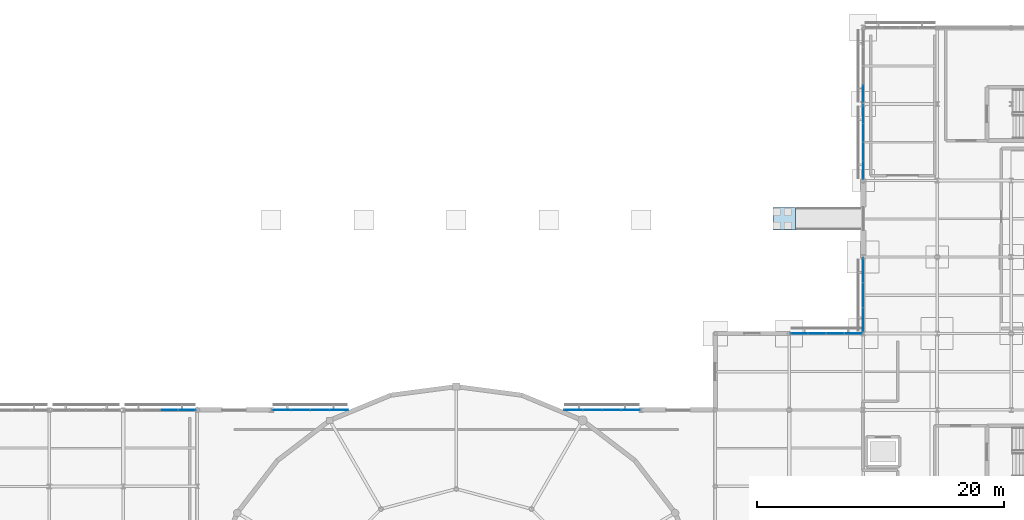
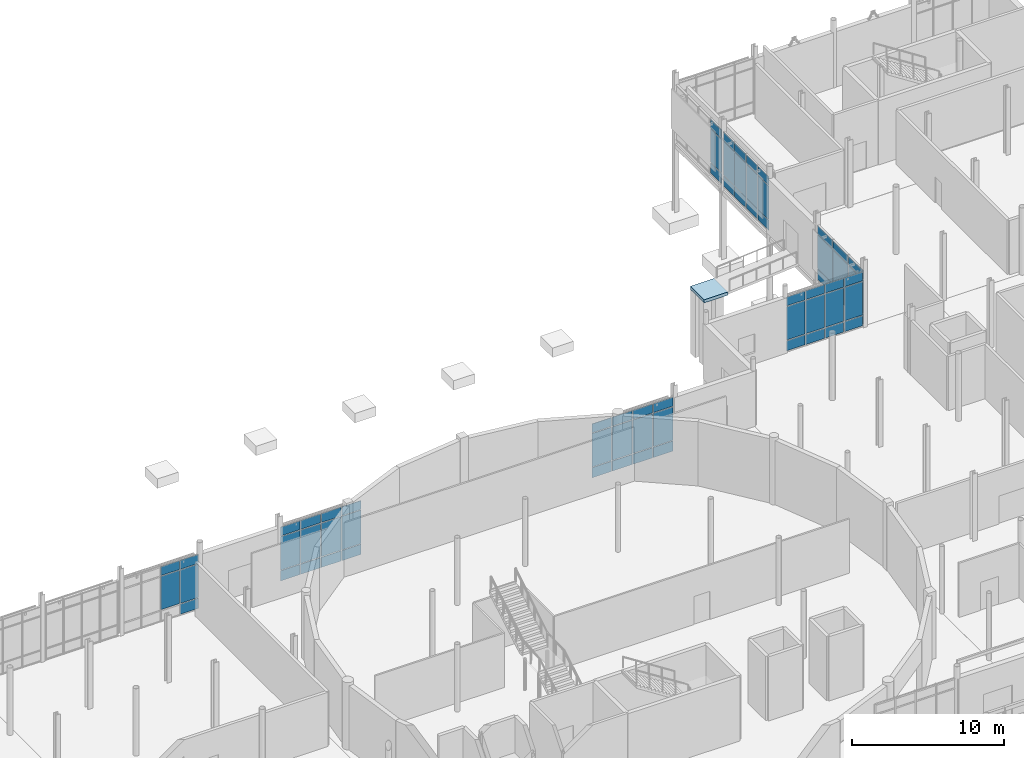
# One storey, part 63 of 98: 65 plates, 1 slab, 7 elements without a shape of their own.
"""IFC4 building model written with IfcOpenShell, lengths in metres."""

from ifc_helpers import new_model, si_unit, direction, frame, origin, origin_2d, place, context, subcontext, project, spatial, polyline, rectangle, outline, extrude, material, layer, layer_set, type_object, element, aggregate, save


model = new_model("IFC4")

# Units and contexts
model_context = context("Model", 3, precision=1e-05, world=origin(), true_north=direction((0.0, 1.0)))
body_context = subcontext(model_context, "Body", "Model", "MODEL_VIEW")
ifc_project = project(units=[si_unit("LENGTHUNIT", "METRE"), si_unit("AREAUNIT", "SQUARE_METRE"), si_unit("VOLUMEUNIT", "CUBIC_METRE"), si_unit("PLANEANGLEUNIT", "RADIAN"), si_unit("MASSUNIT", "GRAM", prefix="KILO")], contexts=[model_context])

# Site, building, storey
site_placement = place(None, origin())
site = spatial("IfcSite", under=ifc_project, at=site_placement, CompositionType="ELEMENT")
building_placement = place(site_placement, origin())
building = spatial("IfcBuilding", under=site, at=building_placement, Name="Mirzam Square Science Centre", CompositionType="ELEMENT")
storey_placement = place(building_placement, origin())
storey = spatial("IfcBuildingStorey", under=building, at=storey_placement, Name="L00", CompositionType="ELEMENT", Elevation=0.0)

# Curtain wall, plates
ifc_material_1 = material(Name="Anodised Aluminium and Low-E Solar Glass", Category="aluminium")
ifc_layer_1 = layer(ifc_material_1, 0.159912109375)
ifc_layer_set_1 = layer_set([ifc_layer_1], Name="CW-COURT-B")
curtain_wall_type_1 = type_object("IfcCurtainWallType", Name="CW-COURT-B", PredefinedType="USERDEFINED", material=ifc_layer_set_1)
curtain_wall_1_placement = place(storey_placement, origin())
curtain_wall_1 = element("IfcCurtainWall", 1, at=curtain_wall_1_placement, inside=storey, type_object=curtain_wall_type_1, Name="L00 unitised curtain wall 71", ObjectType="UNITISED CURTAIN WALL", PredefinedType="USERDEFINED")
ifc_material_2 = material(Name="Ceramic-Fritted Courtyard Solar Glass", Category="glass")
ifc_layer_2 = layer(ifc_material_2, 0.02392578125)
ifc_layer_set_2 = layer_set([ifc_layer_2], Name="CWP-GLZ-24")
plate_type_1 = type_object("IfcPlateType", Name="CWP-GLZ-24", PredefinedType="CURTAIN_PANEL", material=ifc_layer_set_2)
plate_1_placement = place(storey_placement, frame((113.19384765625, 86.800048828125, 0.06005859375), z_axis=(0.0, 0.0, 1.0), x_axis=(-1.0, 0.0, 0.0)))
plate_1 = element("IfcPlate", 2, at=plate_1_placement, type_object=plate_type_1, Name="CW-04 panel 1.1", PredefinedType="CURTAIN_PANEL", context=body_context, shape_type="SweptSolid", body=[
    extrude(rectangle(XDim=1.382568359375, YDim=0.02392578125, at=origin_2d()), origin(), (0.0, 0.0, 1.0), 0.81005859375),
])
plate_2_placement = place(storey_placement, frame((113.19384765625, 86.800048828125, 0.93017578125), z_axis=(0.0, 0.0, 1.0), x_axis=(-1.0, 0.0, 0.0)))
plate_2 = element("IfcPlate", 3, at=plate_2_placement, type_object=plate_type_1, Name="CW-04 panel 1.2", PredefinedType="CURTAIN_PANEL", context=body_context, shape_type="SweptSolid", body=[
    extrude(rectangle(XDim=1.382568359375, YDim=0.02392578125, at=origin_2d()), origin(), (0.0, 0.0, 1.0), 2.679931640625),
])
plate_3_placement = place(storey_placement, frame((113.19384765625, 86.800048828125, 3.669921875), z_axis=(0.0, 0.0, 1.0), x_axis=(-1.0, 0.0, 0.0)))
plate_3 = element("IfcPlate", 4, at=plate_3_placement, type_object=plate_type_1, Name="CW-04 panel 1.3", PredefinedType="CURTAIN_PANEL", context=body_context, shape_type="SweptSolid", body=[
    extrude(rectangle(XDim=1.382568359375, YDim=0.02392578125, at=origin_2d()), origin(), (0.0, 0.0, 1.0), 0.7099609375),
])
plate_4_placement = place(storey_placement, frame((111.736328125, 86.800048828125, 0.06005859375), z_axis=(0.0, 0.0, 1.0), x_axis=(-1.0, 0.0, 0.0)))
plate_4 = element("IfcPlate", 5, at=plate_4_placement, type_object=plate_type_1, Name="CW-04 panel 2.1", PredefinedType="CURTAIN_PANEL", context=body_context, shape_type="SweptSolid", body=[
    extrude(rectangle(XDim=1.41259765625, YDim=0.02392578125, at=origin_2d()), origin(), (0.0, 0.0, 1.0), 0.81005859375),
])
plate_5_placement = place(storey_placement, frame((111.736328125, 86.800048828125, 0.93017578125), z_axis=(0.0, 0.0, 1.0), x_axis=(-1.0, 0.0, 0.0)))
plate_5 = element("IfcPlate", 6, at=plate_5_placement, type_object=plate_type_1, Name="CW-04 panel 2.2", PredefinedType="CURTAIN_PANEL", context=body_context, shape_type="SweptSolid", body=[
    extrude(rectangle(XDim=1.41259765625, YDim=0.02392578125, at=origin_2d()), origin(), (0.0, 0.0, 1.0), 2.679931640625),
])
plate_6_placement = place(storey_placement, frame((111.736328125, 86.800048828125, 3.669921875), z_axis=(0.0, 0.0, 1.0), x_axis=(-1.0, 0.0, 0.0)))
plate_6 = element("IfcPlate", 7, at=plate_6_placement, type_object=plate_type_1, Name="CW-04 panel 2.3", PredefinedType="CURTAIN_PANEL", context=body_context, shape_type="SweptSolid", body=[
    extrude(rectangle(XDim=1.41259765625, YDim=0.02392578125, at=origin_2d()), origin(), (0.0, 0.0, 1.0), 0.7099609375),
])
plate_7_placement = place(storey_placement, frame((110.263671875, 86.800048828125, 0.06005859375), z_axis=(0.0, 0.0, 1.0), x_axis=(-1.0, 0.0, 0.0)))
plate_7 = element("IfcPlate", 8, at=plate_7_placement, type_object=plate_type_1, Name="CW-04 panel 3.1", PredefinedType="CURTAIN_PANEL", context=body_context, shape_type="SweptSolid", body=[
    extrude(rectangle(XDim=1.41259765625, YDim=0.02392578125, at=origin_2d()), origin(), (0.0, 0.0, 1.0), 0.81005859375),
])
plate_8_placement = place(storey_placement, frame((110.263671875, 86.800048828125, 0.93017578125), z_axis=(0.0, 0.0, 1.0), x_axis=(-1.0, 0.0, 0.0)))
plate_8 = element("IfcPlate", 9, at=plate_8_placement, type_object=plate_type_1, Name="CW-04 panel 3.2", PredefinedType="CURTAIN_PANEL", context=body_context, shape_type="SweptSolid", body=[
    extrude(rectangle(XDim=1.41259765625, YDim=0.02392578125, at=origin_2d()), origin(), (0.0, 0.0, 1.0), 2.679931640625),
])
plate_9_placement = place(storey_placement, frame((110.263671875, 86.800048828125, 3.669921875), z_axis=(0.0, 0.0, 1.0), x_axis=(-1.0, 0.0, 0.0)))
plate_9 = element("IfcPlate", 10, at=plate_9_placement, type_object=plate_type_1, Name="CW-04 panel 3.3", PredefinedType="CURTAIN_PANEL", context=body_context, shape_type="SweptSolid", body=[
    extrude(rectangle(XDim=1.41259765625, YDim=0.02392578125, at=origin_2d()), origin(), (0.0, 0.0, 1.0), 0.7099609375),
])
plate_10_placement = place(storey_placement, frame((108.80615234375, 86.800048828125, 0.06005859375), z_axis=(0.0, 0.0, 1.0), x_axis=(-1.0, 0.0, 0.0)))
plate_10 = element("IfcPlate", 11, at=plate_10_placement, type_object=plate_type_1, Name="CW-04 panel 4.1", PredefinedType="CURTAIN_PANEL", context=body_context, shape_type="SweptSolid", body=[
    extrude(rectangle(XDim=1.382568359375, YDim=0.02392578125, at=origin_2d()), origin(), (0.0, 0.0, 1.0), 0.81005859375),
])
plate_11_placement = place(storey_placement, frame((108.80615234375, 86.800048828125, 0.93017578125), z_axis=(0.0, 0.0, 1.0), x_axis=(-1.0, 0.0, 0.0)))
plate_11 = element("IfcPlate", 12, at=plate_11_placement, type_object=plate_type_1, Name="CW-04 panel 4.2", PredefinedType="CURTAIN_PANEL", context=body_context, shape_type="SweptSolid", body=[
    extrude(rectangle(XDim=1.382568359375, YDim=0.02392578125, at=origin_2d()), origin(), (0.0, 0.0, 1.0), 2.679931640625),
])
plate_12_placement = place(storey_placement, frame((108.80615234375, 86.800048828125, 3.669921875), z_axis=(0.0, 0.0, 1.0), x_axis=(-1.0, 0.0, 0.0)))
plate_12 = element("IfcPlate", 13, at=plate_12_placement, type_object=plate_type_1, Name="CW-04 panel 4.3", PredefinedType="CURTAIN_PANEL", context=body_context, shape_type="SweptSolid", body=[
    extrude(rectangle(XDim=1.382568359375, YDim=0.02392578125, at=origin_2d()), origin(), (0.0, 0.0, 1.0), 0.7099609375),
])
aggregate(curtain_wall_1, [plate_1, plate_2, plate_3, plate_4, plate_5, plate_6, plate_7, plate_8, plate_9, plate_10, plate_11, plate_12])

curtain_wall_2_placement = place(storey_placement, origin())
curtain_wall_2 = element("IfcCurtainWall", 14, at=curtain_wall_2_placement, inside=storey, type_object=curtain_wall_type_1, Name="L00 unitised curtain wall 78", ObjectType="UNITISED CURTAIN WALL", PredefinedType="USERDEFINED")
plate_13_placement = place(storey_placement, frame((114.0, 104.56884765625, 0.06005859375), z_axis=(0.0, 0.0, 1.0), x_axis=(0.0, -1.0, 0.0)))
plate_13 = element("IfcPlate", 15, at=plate_13_placement, type_object=plate_type_1, Name="CW-04 panel 1.1", PredefinedType="CURTAIN_PANEL", context=body_context, shape_type="SweptSolid", body=[
    extrude(rectangle(XDim=1.4326171875, YDim=0.02392578125, at=origin_2d()), origin(), (0.0, 0.0, 1.0), 0.81005859375),
])
plate_14_placement = place(storey_placement, frame((114.0, 104.56884765625, 0.93017578125), z_axis=(0.0, 0.0, 1.0), x_axis=(0.0, -1.0, 0.0)))
plate_14 = element("IfcPlate", 16, at=plate_14_placement, type_object=plate_type_1, Name="CW-04 panel 1.2", PredefinedType="CURTAIN_PANEL", context=body_context, shape_type="SweptSolid", body=[
    extrude(rectangle(XDim=1.4326171875, YDim=0.02392578125, at=origin_2d()), origin(), (0.0, 0.0, 1.0), 2.679931640625),
])
plate_15_placement = place(storey_placement, frame((114.0, 104.56884765625, 3.669921875), z_axis=(0.0, 0.0, 1.0), x_axis=(0.0, -1.0, 0.0)))
plate_15 = element("IfcPlate", 17, at=plate_15_placement, type_object=plate_type_1, Name="CW-04 panel 1.3", PredefinedType="CURTAIN_PANEL", context=body_context, shape_type="SweptSolid", body=[
    extrude(rectangle(XDim=1.4326171875, YDim=0.02392578125, at=origin_2d()), origin(), (0.0, 0.0, 1.0), 0.7099609375),
])
plate_16_placement = place(storey_placement, frame((114.0, 103.061279296875, 0.06005859375), z_axis=(0.0, 0.0, 1.0), x_axis=(0.0, -1.0, 0.0)))
plate_16 = element("IfcPlate", 18, at=plate_16_placement, type_object=plate_type_1, Name="CW-04 panel 2.1", PredefinedType="CURTAIN_PANEL", context=body_context, shape_type="SweptSolid", body=[
    extrude(rectangle(XDim=1.46240234375, YDim=0.02392578125, at=origin_2d()), origin(), (0.0, 0.0, 1.0), 0.81005859375),
])
plate_17_placement = place(storey_placement, frame((114.0, 103.061279296875, 0.93017578125), z_axis=(0.0, 0.0, 1.0), x_axis=(0.0, -1.0, 0.0)))
plate_17 = element("IfcPlate", 19, at=plate_17_placement, type_object=plate_type_1, Name="CW-04 panel 2.2", PredefinedType="CURTAIN_PANEL", context=body_context, shape_type="SweptSolid", body=[
    extrude(rectangle(XDim=1.46240234375, YDim=0.02392578125, at=origin_2d()), origin(), (0.0, 0.0, 1.0), 2.679931640625),
])
plate_18_placement = place(storey_placement, frame((114.0, 103.061279296875, 3.669921875), z_axis=(0.0, 0.0, 1.0), x_axis=(0.0, -1.0, 0.0)))
plate_18 = element("IfcPlate", 20, at=plate_18_placement, type_object=plate_type_1, Name="CW-04 panel 2.3", PredefinedType="CURTAIN_PANEL", context=body_context, shape_type="SweptSolid", body=[
    extrude(rectangle(XDim=1.46240234375, YDim=0.02392578125, at=origin_2d()), origin(), (0.0, 0.0, 1.0), 0.7099609375),
])
plate_19_placement = place(storey_placement, frame((114.0, 101.538818359375, 0.06005859375), z_axis=(0.0, 0.0, 1.0), x_axis=(0.0, -1.0, 0.0)))
plate_19 = element("IfcPlate", 21, at=plate_19_placement, type_object=plate_type_1, Name="CW-04 panel 3.1", PredefinedType="CURTAIN_PANEL", context=body_context, shape_type="SweptSolid", body=[
    extrude(rectangle(XDim=1.46240234375, YDim=0.02392578125, at=origin_2d()), origin(), (0.0, 0.0, 1.0), 0.81005859375),
])
plate_20_placement = place(storey_placement, frame((114.0, 101.538818359375, 0.93017578125), z_axis=(0.0, 0.0, 1.0), x_axis=(0.0, -1.0, 0.0)))
plate_20 = element("IfcPlate", 22, at=plate_20_placement, type_object=plate_type_1, Name="CW-04 panel 3.2", PredefinedType="CURTAIN_PANEL", context=body_context, shape_type="SweptSolid", body=[
    extrude(rectangle(XDim=1.46240234375, YDim=0.02392578125, at=origin_2d()), origin(), (0.0, 0.0, 1.0), 2.679931640625),
])
plate_21_placement = place(storey_placement, frame((114.0, 101.538818359375, 3.669921875), z_axis=(0.0, 0.0, 1.0), x_axis=(0.0, -1.0, 0.0)))
plate_21 = element("IfcPlate", 23, at=plate_21_placement, type_object=plate_type_1, Name="CW-04 panel 3.3", PredefinedType="CURTAIN_PANEL", context=body_context, shape_type="SweptSolid", body=[
    extrude(rectangle(XDim=1.46240234375, YDim=0.02392578125, at=origin_2d()), origin(), (0.0, 0.0, 1.0), 0.7099609375),
])
plate_22_placement = place(storey_placement, frame((114.0, 100.03125, 0.06005859375), z_axis=(0.0, 0.0, 1.0), x_axis=(0.0, -1.0, 0.0)))
plate_22 = element("IfcPlate", 24, at=plate_22_placement, type_object=plate_type_1, Name="CW-04 panel 4.1", PredefinedType="CURTAIN_PANEL", context=body_context, shape_type="SweptSolid", body=[
    extrude(rectangle(XDim=1.4326171875, YDim=0.02392578125, at=origin_2d()), origin(), (0.0, 0.0, 1.0), 0.81005859375),
])
plate_23_placement = place(storey_placement, frame((114.0, 100.03125, 0.93017578125), z_axis=(0.0, 0.0, 1.0), x_axis=(0.0, -1.0, 0.0)))
plate_23 = element("IfcPlate", 25, at=plate_23_placement, type_object=plate_type_1, Name="CW-04 panel 4.2", PredefinedType="CURTAIN_PANEL", context=body_context, shape_type="SweptSolid", body=[
    extrude(rectangle(XDim=1.4326171875, YDim=0.02392578125, at=origin_2d()), origin(), (0.0, 0.0, 1.0), 2.679931640625),
])
plate_24_placement = place(storey_placement, frame((114.0, 100.03125, 3.669921875), z_axis=(0.0, 0.0, 1.0), x_axis=(0.0, -1.0, 0.0)))
plate_24 = element("IfcPlate", 26, at=plate_24_placement, type_object=plate_type_1, Name="CW-04 panel 4.3", PredefinedType="CURTAIN_PANEL", context=body_context, shape_type="SweptSolid", body=[
    extrude(rectangle(XDim=1.4326171875, YDim=0.02392578125, at=origin_2d()), origin(), (0.0, 0.0, 1.0), 0.7099609375),
])
aggregate(curtain_wall_2, [plate_13, plate_14, plate_15, plate_16, plate_17, plate_18, plate_19, plate_20, plate_21, plate_22, plate_23, plate_24])

ifc_layer_3 = layer(ifc_material_1, 0.199951171875)
ifc_layer_set_3 = layer_set([ifc_layer_3], Name="CW-PARK-B")
curtain_wall_type_2 = type_object("IfcCurtainWallType", Name="CW-PARK-B", PredefinedType="USERDEFINED", material=ifc_layer_set_3)
curtain_wall_3_placement = place(storey_placement, origin())
curtain_wall_3 = element("IfcCurtainWall", 27, at=curtain_wall_3_placement, inside=storey, type_object=curtain_wall_type_2, Name="L00 unitised curtain wall 75", ObjectType="UNITISED CURTAIN WALL", PredefinedType="USERDEFINED")
ifc_material_3 = material(Name="Triple-Glazed Acoustic Low-E Solar Glass", Category="glass")
ifc_layer_4 = layer(ifc_material_3, 0.031982421875)
ifc_layer_set_4 = layer_set([ifc_layer_4], Name="CWP-GLZ-32")
plate_type_2 = type_object("IfcPlateType", Name="CWP-GLZ-32", PredefinedType="CURTAIN_PANEL", material=ifc_layer_set_4)
plate_25_placement = place(storey_placement, frame((114.0, 91.913818359375, 0.06494140625), z_axis=(0.0, 0.0, 1.0), x_axis=(0.0, -1.0, 0.0)))
plate_25 = element("IfcPlate", 28, at=plate_25_placement, type_object=plate_type_2, Name="CW-02 panel 1.1", PredefinedType="CURTAIN_PANEL", context=body_context, shape_type="SweptSolid", body=[
    extrude(rectangle(XDim=1.9326171875, YDim=0.031982421875, at=origin_2d()), origin(), (0.0, 0.0, 1.0), 0.802490234375),
])
plate_26_placement = place(storey_placement, frame((114.0, 91.913818359375, 0.9326171875), z_axis=(0.0, 0.0, 1.0), x_axis=(0.0, -1.0, 0.0)))
plate_26 = element("IfcPlate", 29, at=plate_26_placement, type_object=plate_type_2, Name="CW-02 panel 1.2", PredefinedType="CURTAIN_PANEL", context=body_context, shape_type="SweptSolid", body=[
    extrude(rectangle(XDim=1.9326171875, YDim=0.031982421875, at=origin_2d()), origin(), (0.0, 0.0, 1.0), 2.675048828125),
])
plate_27_placement = place(storey_placement, frame((114.0, 91.913818359375, 3.67236328125), z_axis=(0.0, 0.0, 1.0), x_axis=(0.0, -1.0, 0.0)))
plate_27 = element("IfcPlate", 30, at=plate_27_placement, type_object=plate_type_2, Name="CW-02 panel 1.3", PredefinedType="CURTAIN_PANEL", context=body_context, shape_type="SweptSolid", body=[
    extrude(rectangle(XDim=1.9326171875, YDim=0.031982421875, at=origin_2d()), origin(), (0.0, 0.0, 1.0), 0.702392578125),
])
plate_28_placement = place(storey_placement, frame((114.0, 89.89990234375, 0.06494140625), z_axis=(0.0, 0.0, 1.0), x_axis=(0.0, -1.0, 0.0)))
plate_28 = element("IfcPlate", 31, at=plate_28_placement, type_object=plate_type_2, Name="CW-02 panel 2.1", PredefinedType="CURTAIN_PANEL", context=body_context, shape_type="SweptSolid", body=[
    extrude(rectangle(XDim=1.965087890625, YDim=0.031982421875, at=origin_2d()), origin(), (0.0, 0.0, 1.0), 0.802490234375),
])
plate_29_placement = place(storey_placement, frame((114.0, 89.89990234375, 0.9326171875), z_axis=(0.0, 0.0, 1.0), x_axis=(0.0, -1.0, 0.0)))
plate_29 = element("IfcPlate", 32, at=plate_29_placement, type_object=plate_type_2, Name="CW-02 panel 2.2", PredefinedType="CURTAIN_PANEL", context=body_context, shape_type="SweptSolid", body=[
    extrude(rectangle(XDim=1.965087890625, YDim=0.031982421875, at=origin_2d()), origin(), (0.0, 0.0, 1.0), 2.675048828125),
])
plate_30_placement = place(storey_placement, frame((114.0, 89.89990234375, 3.67236328125), z_axis=(0.0, 0.0, 1.0), x_axis=(0.0, -1.0, 0.0)))
plate_30 = element("IfcPlate", 33, at=plate_30_placement, type_object=plate_type_2, Name="CW-02 panel 2.3", PredefinedType="CURTAIN_PANEL", context=body_context, shape_type="SweptSolid", body=[
    extrude(rectangle(XDim=1.965087890625, YDim=0.031982421875, at=origin_2d()), origin(), (0.0, 0.0, 1.0), 0.702392578125),
])
plate_31_placement = place(storey_placement, frame((114.0, 87.88623046875, 0.06494140625), z_axis=(0.0, 0.0, 1.0), x_axis=(0.0, -1.0, 0.0)))
plate_31 = element("IfcPlate", 34, at=plate_31_placement, type_object=plate_type_2, Name="CW-02 panel 3.1", PredefinedType="CURTAIN_PANEL", context=body_context, shape_type="SweptSolid", body=[
    extrude(rectangle(XDim=1.9326171875, YDim=0.031982421875, at=origin_2d()), origin(), (0.0, 0.0, 1.0), 0.802490234375),
])
plate_32_placement = place(storey_placement, frame((114.0, 87.88623046875, 0.9326171875), z_axis=(0.0, 0.0, 1.0), x_axis=(0.0, -1.0, 0.0)))
plate_32 = element("IfcPlate", 35, at=plate_32_placement, type_object=plate_type_2, Name="CW-02 panel 3.2", PredefinedType="CURTAIN_PANEL", context=body_context, shape_type="SweptSolid", body=[
    extrude(rectangle(XDim=1.9326171875, YDim=0.031982421875, at=origin_2d()), origin(), (0.0, 0.0, 1.0), 2.675048828125),
])
plate_33_placement = place(storey_placement, frame((114.0, 87.88623046875, 3.67236328125), z_axis=(0.0, 0.0, 1.0), x_axis=(0.0, -1.0, 0.0)))
plate_33 = element("IfcPlate", 36, at=plate_33_placement, type_object=plate_type_2, Name="CW-02 panel 3.3", PredefinedType="CURTAIN_PANEL", context=body_context, shape_type="SweptSolid", body=[
    extrude(rectangle(XDim=1.9326171875, YDim=0.031982421875, at=origin_2d()), origin(), (0.0, 0.0, 1.0), 0.702392578125),
])
aggregate(curtain_wall_3, [plate_25, plate_26, plate_27, plate_28, plate_29, plate_30, plate_31, plate_32, plate_33])

ifc_layer_5 = layer(ifc_material_1, 0.199951171875)
ifc_layer_set_5 = layer_set([ifc_layer_5], Name="CW-EAST-A")
curtain_wall_type_3 = type_object("IfcCurtainWallType", Name="CW-EAST-A", PredefinedType="USERDEFINED", material=ifc_layer_set_5)
curtain_wall_4_placement = place(storey_placement, origin())
curtain_wall_4 = element("IfcCurtainWall", 37, at=curtain_wall_4_placement, inside=storey, type_object=curtain_wall_type_3, Name="L00 unitised curtain wall 6", ObjectType="UNITISED CURTAIN WALL", PredefinedType="USERDEFINED")
ifc_material_4 = material(Name="Laminated Low-Iron Observatory Solar Glass", Category="glass")
ifc_layer_6 = layer(ifc_material_4, 0.035888671875)
ifc_layer_set_6 = layer_set([ifc_layer_6], Name="CWP-GLZ-36")
plate_type_3 = type_object("IfcPlateType", Name="CWP-GLZ-36", PredefinedType="CURTAIN_PANEL", material=ifc_layer_set_6)
plate_34_placement = place(storey_placement, frame((59.19384765625, 80.60009765625, 0.06005859375), z_axis=(0.0, 0.0, 1.0), x_axis=(-1.0, 0.0, 0.0)))
plate_34 = element("IfcPlate", 38, at=plate_34_placement, type_object=plate_type_3, Name="CW-05 panel 1.1", PredefinedType="CURTAIN_PANEL", context=body_context, shape_type="SweptSolid", body=[
    extrude(rectangle(XDim=1.382568359375, YDim=0.035888671875, at=origin_2d()), origin(), (0.0, 0.0, 1.0), 0.81005859375),
])
plate_35_placement = place(storey_placement, frame((59.19384765625, 80.60009765625, 0.93017578125), z_axis=(0.0, 0.0, 1.0), x_axis=(-1.0, 0.0, 0.0)))
plate_35 = element("IfcPlate", 39, at=plate_35_placement, type_object=plate_type_3, Name="CW-05 panel 1.2", PredefinedType="CURTAIN_PANEL", context=body_context, shape_type="SweptSolid", body=[
    extrude(rectangle(XDim=1.382568359375, YDim=0.035888671875, at=origin_2d()), origin(), (0.0, 0.0, 1.0), 2.679931640625),
])
plate_36_placement = place(storey_placement, frame((59.19384765625, 80.60009765625, 3.669921875), z_axis=(0.0, 0.0, 1.0), x_axis=(-1.0, 0.0, 0.0)))
plate_36 = element("IfcPlate", 40, at=plate_36_placement, type_object=plate_type_3, Name="CW-05 panel 1.3", PredefinedType="CURTAIN_PANEL", context=body_context, shape_type="SweptSolid", body=[
    extrude(rectangle(XDim=1.382568359375, YDim=0.035888671875, at=origin_2d()), origin(), (0.0, 0.0, 1.0), 0.7099609375),
])
plate_37_placement = place(storey_placement, frame((57.736328125, 80.60009765625, 0.93017578125), z_axis=(0.0, 0.0, 1.0), x_axis=(-1.0, 0.0, 0.0)))
plate_37 = element("IfcPlate", 41, at=plate_37_placement, type_object=plate_type_3, Name="CW-05 panel 2.2", PredefinedType="CURTAIN_PANEL", context=body_context, shape_type="SweptSolid", body=[
    extrude(rectangle(XDim=1.41259765625, YDim=0.035888671875, at=origin_2d()), origin(), (0.0, 0.0, 1.0), 2.679931640625),
])
plate_38_placement = place(storey_placement, frame((57.736328125, 80.60009765625, 3.669921875), z_axis=(0.0, 0.0, 1.0), x_axis=(-1.0, 0.0, 0.0)))
plate_38 = element("IfcPlate", 42, at=plate_38_placement, type_object=plate_type_3, Name="CW-05 panel 2.3", PredefinedType="CURTAIN_PANEL", context=body_context, shape_type="SweptSolid", body=[
    extrude(rectangle(XDim=1.41259765625, YDim=0.035888671875, at=origin_2d()), origin(), (0.0, 0.0, 1.0), 0.7099609375),
])
aggregate(curtain_wall_4, [plate_34, plate_35, plate_36, plate_37, plate_38])

curtain_wall_5_placement = place(storey_placement, origin())
curtain_wall_5 = element("IfcCurtainWall", 43, at=curtain_wall_5_placement, inside=storey, type_object=curtain_wall_type_3, Name="L00 unitised curtain wall 46", ObjectType="UNITISED CURTAIN WALL", PredefinedType="USERDEFINED")
plate_39_placement = place(storey_placement, frame((71.5, 80.60009765625, 0.06005859375), z_axis=(0.0, 0.0, 1.0), x_axis=(-1.0, 0.0, 0.0)))
plate_39 = element("IfcPlate", 44, at=plate_39_placement, type_object=plate_type_3, Name="CW-05 panel 1.1", PredefinedType="CURTAIN_PANEL", context=body_context, shape_type="SweptSolid", body=[
    extrude(rectangle(XDim=1.469970703125, YDim=0.035888671875, at=origin_2d()), origin(), (0.0, 0.0, 1.0), 0.81005859375),
])
plate_40_placement = place(storey_placement, frame((71.5, 80.60009765625, 0.93017578125), z_axis=(0.0, 0.0, 1.0), x_axis=(-1.0, 0.0, 0.0)))
plate_40 = element("IfcPlate", 45, at=plate_40_placement, type_object=plate_type_3, Name="CW-05 panel 1.2", PredefinedType="CURTAIN_PANEL", context=body_context, shape_type="SweptSolid", body=[
    extrude(rectangle(XDim=1.469970703125, YDim=0.035888671875, at=origin_2d()), origin(), (0.0, 0.0, 1.0), 2.679931640625),
])
plate_41_placement = place(storey_placement, frame((71.5, 80.60009765625, 3.669921875), z_axis=(0.0, 0.0, 1.0), x_axis=(-1.0, 0.0, 0.0)))
plate_41 = element("IfcPlate", 46, at=plate_41_placement, type_object=plate_type_3, Name="CW-05 panel 1.3", PredefinedType="CURTAIN_PANEL", context=body_context, shape_type="SweptSolid", body=[
    extrude(rectangle(XDim=1.469970703125, YDim=0.035888671875, at=origin_2d()), origin(), (0.0, 0.0, 1.0), 0.7099609375),
])
plate_42_placement = place(storey_placement, frame((69.955078125, 80.60009765625, 0.06005859375), z_axis=(0.0, 0.0, 1.0), x_axis=(-1.0, 0.0, 0.0)))
plate_42 = element("IfcPlate", 47, at=plate_42_placement, type_object=plate_type_3, Name="CW-05 panel 2.1", PredefinedType="CURTAIN_PANEL", context=body_context, shape_type="SweptSolid", body=[
    extrude(rectangle(XDim=1.5, YDim=0.035888671875, at=origin_2d()), origin(), (0.0, 0.0, 1.0), 0.81005859375),
])
plate_43_placement = place(storey_placement, frame((69.955078125, 80.60009765625, 0.93017578125), z_axis=(0.0, 0.0, 1.0), x_axis=(-1.0, 0.0, 0.0)))
plate_43 = element("IfcPlate", 48, at=plate_43_placement, type_object=plate_type_3, Name="CW-05 panel 2.2", PredefinedType="CURTAIN_PANEL", context=body_context, shape_type="SweptSolid", body=[
    extrude(rectangle(XDim=1.5, YDim=0.035888671875, at=origin_2d()), origin(), (0.0, 0.0, 1.0), 2.679931640625),
])
plate_44_placement = place(storey_placement, frame((69.955078125, 80.60009765625, 3.669921875), z_axis=(0.0, 0.0, 1.0), x_axis=(-1.0, 0.0, 0.0)))
plate_44 = element("IfcPlate", 49, at=plate_44_placement, type_object=plate_type_3, Name="CW-05 panel 2.3", PredefinedType="CURTAIN_PANEL", context=body_context, shape_type="SweptSolid", body=[
    extrude(rectangle(XDim=1.5, YDim=0.035888671875, at=origin_2d()), origin(), (0.0, 0.0, 1.0), 0.7099609375),
])
plate_45_placement = place(storey_placement, frame((68.39501953125, 80.60009765625, 0.06005859375), z_axis=(0.0, 0.0, 1.0), x_axis=(-1.0, 0.0, 0.0)))
plate_45 = element("IfcPlate", 50, at=plate_45_placement, type_object=plate_type_3, Name="CW-05 panel 3.1", PredefinedType="CURTAIN_PANEL", context=body_context, shape_type="SweptSolid", body=[
    extrude(rectangle(XDim=1.5, YDim=0.035888671875, at=origin_2d()), origin(), (0.0, 0.0, 1.0), 0.81005859375),
])
plate_46_placement = place(storey_placement, frame((68.39501953125, 80.60009765625, 0.93017578125), z_axis=(0.0, 0.0, 1.0), x_axis=(-1.0, 0.0, 0.0)))
plate_46 = element("IfcPlate", 51, at=plate_46_placement, type_object=plate_type_3, Name="CW-05 panel 3.2", PredefinedType="CURTAIN_PANEL", context=body_context, shape_type="SweptSolid", body=[
    extrude(rectangle(XDim=1.5, YDim=0.035888671875, at=origin_2d()), origin(), (0.0, 0.0, 1.0), 2.679931640625),
])
plate_47_placement = place(storey_placement, frame((68.39501953125, 80.60009765625, 3.669921875), z_axis=(0.0, 0.0, 1.0), x_axis=(-1.0, 0.0, 0.0)))
plate_47 = element("IfcPlate", 52, at=plate_47_placement, type_object=plate_type_3, Name="CW-05 panel 3.3", PredefinedType="CURTAIN_PANEL", context=body_context, shape_type="SweptSolid", body=[
    extrude(rectangle(XDim=1.5, YDim=0.035888671875, at=origin_2d()), origin(), (0.0, 0.0, 1.0), 0.7099609375),
])
plate_48_placement = place(storey_placement, frame((66.85009765625, 80.60009765625, 0.06005859375), z_axis=(0.0, 0.0, 1.0), x_axis=(-1.0, 0.0, 0.0)))
plate_48 = element("IfcPlate", 53, at=plate_48_placement, type_object=plate_type_3, Name="CW-05 panel 4.1", PredefinedType="CURTAIN_PANEL", context=body_context, shape_type="SweptSolid", body=[
    extrude(rectangle(XDim=1.469970703125, YDim=0.035888671875, at=origin_2d()), origin(), (0.0, 0.0, 1.0), 0.81005859375),
])
plate_49_placement = place(storey_placement, frame((66.85009765625, 80.60009765625, 0.93017578125), z_axis=(0.0, 0.0, 1.0), x_axis=(-1.0, 0.0, 0.0)))
plate_49 = element("IfcPlate", 54, at=plate_49_placement, type_object=plate_type_3, Name="CW-05 panel 4.2", PredefinedType="CURTAIN_PANEL", context=body_context, shape_type="SweptSolid", body=[
    extrude(rectangle(XDim=1.469970703125, YDim=0.035888671875, at=origin_2d()), origin(), (0.0, 0.0, 1.0), 2.679931640625),
])
plate_50_placement = place(storey_placement, frame((66.85009765625, 80.60009765625, 3.669921875), z_axis=(0.0, 0.0, 1.0), x_axis=(-1.0, 0.0, 0.0)))
plate_50 = element("IfcPlate", 55, at=plate_50_placement, type_object=plate_type_3, Name="CW-05 panel 4.3", PredefinedType="CURTAIN_PANEL", context=body_context, shape_type="SweptSolid", body=[
    extrude(rectangle(XDim=1.469970703125, YDim=0.035888671875, at=origin_2d()), origin(), (0.0, 0.0, 1.0), 0.7099609375),
])
aggregate(curtain_wall_5, [plate_39, plate_40, plate_41, plate_42, plate_43, plate_44, plate_45, plate_46, plate_47, plate_48, plate_49, plate_50])

curtain_wall_6_placement = place(storey_placement, origin())
curtain_wall_6 = element("IfcCurtainWall", 56, at=curtain_wall_6_placement, inside=storey, type_object=curtain_wall_type_3, Name="L00 unitised curtain wall 48", ObjectType="UNITISED CURTAIN WALL", PredefinedType="USERDEFINED")
plate_51_placement = place(storey_placement, frame((95.14990234375, 80.60009765625, 0.06005859375), z_axis=(0.0, 0.0, 1.0), x_axis=(-1.0, 0.0, 0.0)))
plate_51 = element("IfcPlate", 57, at=plate_51_placement, type_object=plate_type_3, Name="CW-05 panel 1.1", PredefinedType="CURTAIN_PANEL", context=body_context, shape_type="SweptSolid", body=[
    extrude(rectangle(XDim=1.469970703125, YDim=0.035888671875, at=origin_2d()), origin(), (0.0, 0.0, 1.0), 0.81005859375),
])
plate_52_placement = place(storey_placement, frame((95.14990234375, 80.60009765625, 0.93017578125), z_axis=(0.0, 0.0, 1.0), x_axis=(-1.0, 0.0, 0.0)))
plate_52 = element("IfcPlate", 58, at=plate_52_placement, type_object=plate_type_3, Name="CW-05 panel 1.2", PredefinedType="CURTAIN_PANEL", context=body_context, shape_type="SweptSolid", body=[
    extrude(rectangle(XDim=1.469970703125, YDim=0.035888671875, at=origin_2d()), origin(), (0.0, 0.0, 1.0), 2.679931640625),
])
plate_53_placement = place(storey_placement, frame((95.14990234375, 80.60009765625, 3.669921875), z_axis=(0.0, 0.0, 1.0), x_axis=(-1.0, 0.0, 0.0)))
plate_53 = element("IfcPlate", 59, at=plate_53_placement, type_object=plate_type_3, Name="CW-05 panel 1.3", PredefinedType="CURTAIN_PANEL", context=body_context, shape_type="SweptSolid", body=[
    extrude(rectangle(XDim=1.469970703125, YDim=0.035888671875, at=origin_2d()), origin(), (0.0, 0.0, 1.0), 0.7099609375),
])
plate_54_placement = place(storey_placement, frame((93.60498046875, 80.60009765625, 0.06005859375), z_axis=(0.0, 0.0, 1.0), x_axis=(-1.0, 0.0, 0.0)))
plate_54 = element("IfcPlate", 60, at=plate_54_placement, type_object=plate_type_3, Name="CW-05 panel 2.1", PredefinedType="CURTAIN_PANEL", context=body_context, shape_type="SweptSolid", body=[
    extrude(rectangle(XDim=1.5, YDim=0.035888671875, at=origin_2d()), origin(), (0.0, 0.0, 1.0), 0.81005859375),
])
plate_55_placement = place(storey_placement, frame((93.60498046875, 80.60009765625, 0.93017578125), z_axis=(0.0, 0.0, 1.0), x_axis=(-1.0, 0.0, 0.0)))
plate_55 = element("IfcPlate", 61, at=plate_55_placement, type_object=plate_type_3, Name="CW-05 panel 2.2", PredefinedType="CURTAIN_PANEL", context=body_context, shape_type="SweptSolid", body=[
    extrude(rectangle(XDim=1.5, YDim=0.035888671875, at=origin_2d()), origin(), (0.0, 0.0, 1.0), 2.679931640625),
])
plate_56_placement = place(storey_placement, frame((93.60498046875, 80.60009765625, 3.669921875), z_axis=(0.0, 0.0, 1.0), x_axis=(-1.0, 0.0, 0.0)))
plate_56 = element("IfcPlate", 62, at=plate_56_placement, type_object=plate_type_3, Name="CW-05 panel 2.3", PredefinedType="CURTAIN_PANEL", context=body_context, shape_type="SweptSolid", body=[
    extrude(rectangle(XDim=1.5, YDim=0.035888671875, at=origin_2d()), origin(), (0.0, 0.0, 1.0), 0.7099609375),
])
plate_57_placement = place(storey_placement, frame((92.044921875, 80.60009765625, 0.06005859375), z_axis=(0.0, 0.0, 1.0), x_axis=(-1.0, 0.0, 0.0)))
plate_57 = element("IfcPlate", 63, at=plate_57_placement, type_object=plate_type_3, Name="CW-05 panel 3.1", PredefinedType="CURTAIN_PANEL", context=body_context, shape_type="SweptSolid", body=[
    extrude(rectangle(XDim=1.5, YDim=0.035888671875, at=origin_2d()), origin(), (0.0, 0.0, 1.0), 0.81005859375),
])
plate_58_placement = place(storey_placement, frame((92.044921875, 80.60009765625, 0.93017578125), z_axis=(0.0, 0.0, 1.0), x_axis=(-1.0, 0.0, 0.0)))
plate_58 = element("IfcPlate", 64, at=plate_58_placement, type_object=plate_type_3, Name="CW-05 panel 3.2", PredefinedType="CURTAIN_PANEL", context=body_context, shape_type="SweptSolid", body=[
    extrude(rectangle(XDim=1.5, YDim=0.035888671875, at=origin_2d()), origin(), (0.0, 0.0, 1.0), 2.679931640625),
])
plate_59_placement = place(storey_placement, frame((92.044921875, 80.60009765625, 3.669921875), z_axis=(0.0, 0.0, 1.0), x_axis=(-1.0, 0.0, 0.0)))
plate_59 = element("IfcPlate", 65, at=plate_59_placement, type_object=plate_type_3, Name="CW-05 panel 3.3", PredefinedType="CURTAIN_PANEL", context=body_context, shape_type="SweptSolid", body=[
    extrude(rectangle(XDim=1.5, YDim=0.035888671875, at=origin_2d()), origin(), (0.0, 0.0, 1.0), 0.7099609375),
])
plate_60_placement = place(storey_placement, frame((90.5, 80.60009765625, 0.06005859375), z_axis=(0.0, 0.0, 1.0), x_axis=(-1.0, 0.0, 0.0)))
plate_60 = element("IfcPlate", 66, at=plate_60_placement, type_object=plate_type_3, Name="CW-05 panel 4.1", PredefinedType="CURTAIN_PANEL", context=body_context, shape_type="SweptSolid", body=[
    extrude(rectangle(XDim=1.469970703125, YDim=0.035888671875, at=origin_2d()), origin(), (0.0, 0.0, 1.0), 0.81005859375),
])
plate_61_placement = place(storey_placement, frame((90.5, 80.60009765625, 0.93017578125), z_axis=(0.0, 0.0, 1.0), x_axis=(-1.0, 0.0, 0.0)))
plate_61 = element("IfcPlate", 67, at=plate_61_placement, type_object=plate_type_3, Name="CW-05 panel 4.2", PredefinedType="CURTAIN_PANEL", context=body_context, shape_type="SweptSolid", body=[
    extrude(rectangle(XDim=1.469970703125, YDim=0.035888671875, at=origin_2d()), origin(), (0.0, 0.0, 1.0), 2.679931640625),
])
plate_62_placement = place(storey_placement, frame((90.5, 80.60009765625, 3.669921875), z_axis=(0.0, 0.0, 1.0), x_axis=(-1.0, 0.0, 0.0)))
plate_62 = element("IfcPlate", 68, at=plate_62_placement, type_object=plate_type_3, Name="CW-05 panel 4.3", PredefinedType="CURTAIN_PANEL", context=body_context, shape_type="SweptSolid", body=[
    extrude(rectangle(XDim=1.469970703125, YDim=0.035888671875, at=origin_2d()), origin(), (0.0, 0.0, 1.0), 0.7099609375),
])
aggregate(curtain_wall_6, [plate_51, plate_52, plate_53, plate_54, plate_55, plate_56, plate_57, plate_58, plate_59, plate_60, plate_61, plate_62])

curtain_wall_7_placement = place(storey_placement, origin())
curtain_wall_7 = element("IfcCurtainWall", 69, at=curtain_wall_7_placement, inside=storey, type_object=curtain_wall_type_3, Name="L00 unitised curtain wall 80", ObjectType="UNITISED CURTAIN WALL", PredefinedType="USERDEFINED")
ifc_material_5 = material(Name="Acoustic Laminated Solar Spandrel Glass", Category="glass")
ifc_layer_7 = layer(ifc_material_5, 0.0400390625)
ifc_layer_set_7 = layer_set([ifc_layer_7], Name="CWP-GLZ-40")
plate_type_4 = type_object("IfcPlateType", Name="CWP-GLZ-40", PredefinedType="CURTAIN_PANEL", material=ifc_layer_set_7)
plate_63_placement = place(storey_placement, frame((114.0, 106.232421875, 0.06494140625), z_axis=(0.0, 0.0, 1.0), x_axis=(0.0, -1.0, 0.0)))
plate_63 = element("IfcPlate", 70, at=plate_63_placement, type_object=plate_type_4, Name="CW-05 panel 4.1", PredefinedType="CURTAIN_PANEL", context=body_context, shape_type="SweptSolid", body=[
    extrude(rectangle(XDim=1.425048828125, YDim=0.0400390625, at=origin_2d()), origin(), (0.0, 0.0, 1.0), 0.802490234375),
])
plate_64_placement = place(storey_placement, frame((114.0, 106.232421875, 0.9326171875), z_axis=(0.0, 0.0, 1.0), x_axis=(0.0, -1.0, 0.0)))
plate_64 = element("IfcPlate", 71, at=plate_64_placement, type_object=plate_type_4, Name="CW-05 panel 4.2", PredefinedType="CURTAIN_PANEL", context=body_context, shape_type="SweptSolid", body=[
    extrude(rectangle(XDim=1.425048828125, YDim=0.0400390625, at=origin_2d()), origin(), (0.0, 0.0, 1.0), 2.675048828125),
])
plate_65_placement = place(storey_placement, frame((114.0, 106.232421875, 3.67236328125), z_axis=(0.0, 0.0, 1.0), x_axis=(0.0, -1.0, 0.0)))
plate_65 = element("IfcPlate", 72, at=plate_65_placement, type_object=plate_type_4, Name="CW-05 panel 4.3", PredefinedType="CURTAIN_PANEL", context=body_context, shape_type="SweptSolid", body=[
    extrude(rectangle(XDim=1.425048828125, YDim=0.0400390625, at=origin_2d()), origin(), (0.0, 0.0, 1.0), 0.702392578125),
])
aggregate(curtain_wall_7, [plate_63, plate_64, plate_65])

# Slab
ifc_material_6 = material(Name="Concrete C45/55", Category="concrete")
ifc_layer_8 = layer(ifc_material_6, 0.300048828125)
ifc_layer_set_8 = layer_set([ifc_layer_8], Name="SL-GND-300")
slab_type = type_object("IfcSlabType", Name="SL-GND-300", PredefinedType="FLOOR", material=ifc_layer_set_8)
slab_placement = place(storey_placement, frame((0.0, 0.0, -0.699951171875)))
element("IfcSlab", 73, at=slab_placement, inside=storey, type_object=slab_type, Name="RAMP-PED-05 arrival apron", PredefinedType="FLOOR", context=body_context, shape_type="SweptSolid", body=[
    extrude(outline(polyline([(106.699951171875, 95.199951171875), (108.5, 95.199951171875), (108.5, 97.0), (106.699951171875, 97.0), (106.699951171875, 95.199951171875)])), origin(), (0.0, 0.0, 1.0), 0.25),
])

save(model, "model.ifc")
